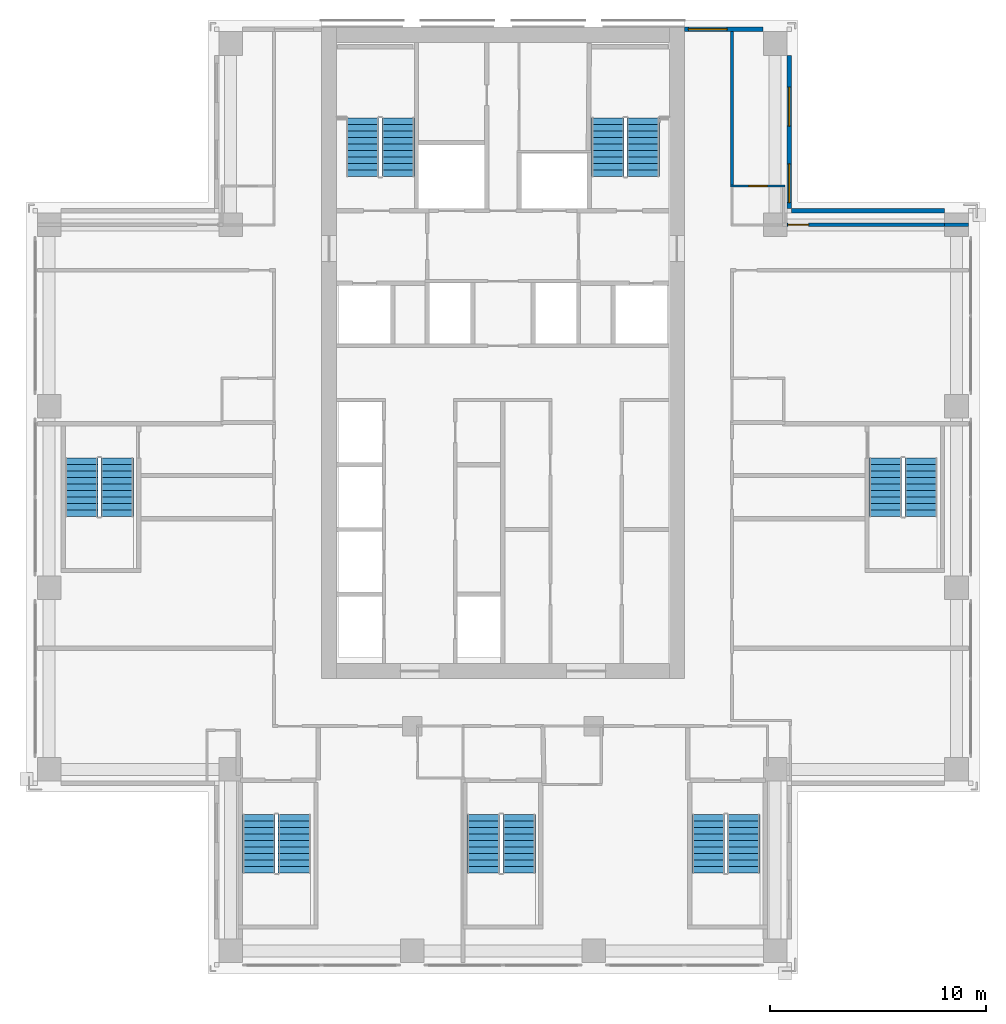
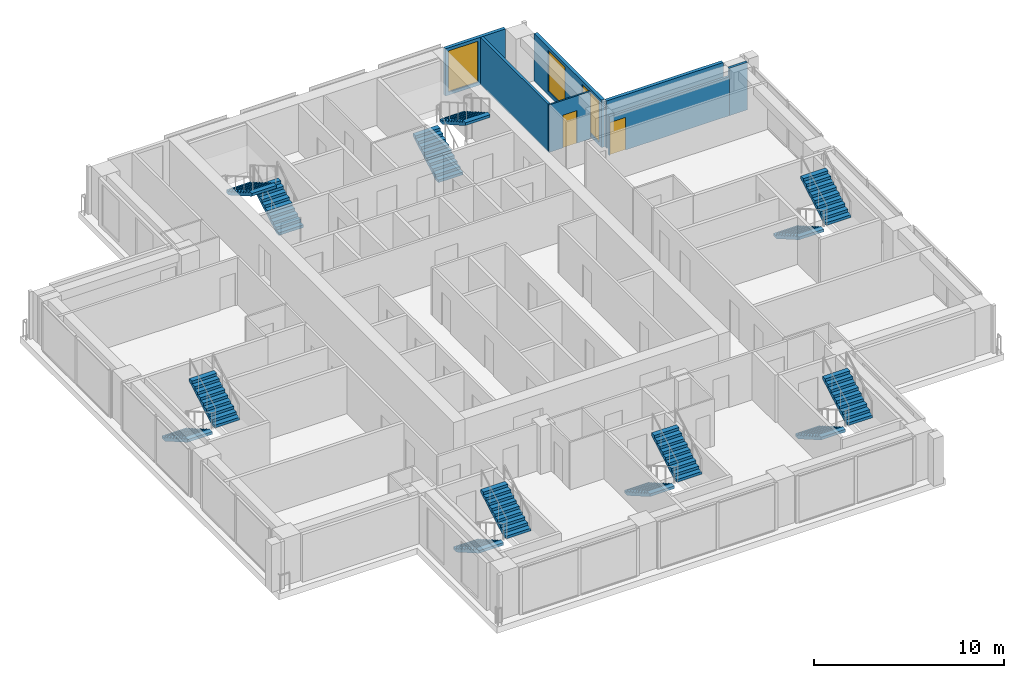
# One storey, part 13 of 16: 14 stair flights, 7 walls, 3 windows, 2 doors, 5 openings, 7 elements without a shape of their own.
"""IFC4 building model written with IfcOpenShell, lengths in metres."""

from ifc_helpers import new_model, si_unit, direction, frame, frame_2d, origin, place, context, subcontext, project, spatial, polyline, rectangle, outline, extrude, material, layer, layer_set, type_object, element, fill, aggregate, save


model = new_model("IFC4")

# Units and contexts
model_context = context("Model", 3, precision=1e-05, world=origin(), true_north=direction((0.0, 1.0)))
body_context = subcontext(model_context, "Body", "Model", "MODEL_VIEW")
ifc_project = project(units=[si_unit("LENGTHUNIT", "METRE"), si_unit("AREAUNIT", "SQUARE_METRE"), si_unit("VOLUMEUNIT", "CUBIC_METRE"), si_unit("PLANEANGLEUNIT", "RADIAN"), si_unit("MASSUNIT", "GRAM", prefix="KILO")], contexts=[model_context])

# Site, building, storey
site_placement = place(None, origin())
site = spatial("IfcSite", under=ifc_project, at=site_placement, CompositionType="ELEMENT")
building_placement = place(site_placement, origin())
building = spatial("IfcBuilding", under=site, at=building_placement, Name="Vermilion Ogive Tower", CompositionType="ELEMENT")
storey_placement = place(building_placement, frame((0.0, 0.0, 140.0)))
storey = spatial("IfcBuildingStorey", under=building, at=storey_placement, Name="L35", CompositionType="ELEMENT", Elevation=140.0)

# Wall, opening, door
ifc_material_1 = material(Name="Gypsum board partition on steel studs", Category="steel")
ifc_layer_1 = layer(ifc_material_1, 0.10009765625)
ifc_layer_set_1 = layer_set([ifc_layer_1], Name="Partition 100 bath")
wall_type_1 = type_object("IfcWallType", Name="Partition 100 bath", PredefinedType="PARTITIONING", material=ifc_layer_set_1)
wall_1_placement = place(storey_placement, frame((10.52490234375, 14.39990234375, 0.0), z_axis=(0.0, 0.0, 1.0), x_axis=(1.0, 0.0, 0.0)))
wall_1 = element("IfcWall", 1, at=wall_1_placement, inside=storey, type_object=wall_type_1, Name="L35-W-W036", PredefinedType="PARTITIONING", context=body_context, shape_type="SweptSolid", body=[
    extrude(rectangle(XDim=2.525146484375, YDim=0.10009765625, at=frame_2d((1.2626953125, 0.0))), origin(), (0.0, 0.0, 1.0), 3.050048828125),
])
opening_1_placement = place(wall_1_placement, frame((0.85009765625, 0.0, 0.0)))
opening_1 = element("IfcOpeningElement", 2, at=opening_1_placement, cuts=wall_1, Name="Opening D3G1016", PredefinedType="OPENING", context=body_context, shape_type="SweptSolid", body=[
    extrude(rectangle(XDim=0.85009765625, YDim=2.10009765625, at=frame_2d((0.425048828125, 1.050048828125))), frame((0.0, 0.06005859375, 0.0), z_axis=(0.0, -1.0, 0.0), x_axis=(1.0, 0.0, 0.0)), (0.0, 0.0, 1.0), 0.1201171875),
])
ifc_material_2 = material(Name="Timber door leaf", Category="wood")
door_type_1 = type_object("IfcDoorType", Name="Bath door 850 x 2100 FD30", OperationType="SINGLE_SWING_LEFT", PredefinedType="DOOR", material=ifc_material_2)
door_1_placement = place(opening_1_placement, origin())
door_1 = element("IfcDoor", 3, at=door_1_placement, inside=storey, type_object=door_type_1, Name="L35-D-D016", OperationType="SINGLE_SWING_RIGHT", OverallHeight=2.10009765625, OverallWidth=0.85009765625, PredefinedType="DOOR", context=body_context, shape_type="SweptSolid", body=[
    extrude(rectangle(XDim=0.85009765625, YDim=2.10009765625, at=frame_2d((0.425048828125, 1.050048828125))), frame((0.0, 0.02490234375, 0.0), z_axis=(0.0, -1.0, 0.0), x_axis=(1.0, 0.0, 0.0)), (0.0, 0.0, 1.0), 0.050048828125),
])
fill(opening_1, door_1)

# Wall
ifc_material_3 = material(Name="Gypsum board partition on steel studs", Category="steel")
ifc_layer_2 = layer(ifc_material_3, 0.14990234375)
ifc_layer_set_2 = layer_set([ifc_layer_2], Name="Partition 150 corridor")
wall_type_2 = type_object("IfcWallType", Name="Partition 150 corridor", PredefinedType="PARTITIONING", material=ifc_layer_set_2)
wall_2_placement = place(storey_placement, frame((10.60009765625, 14.449951171875, 0.0), z_axis=(0.0, 0.0, 1.0), x_axis=(0.0, 1.0, 0.0)))
element("IfcWall", 4, at=wall_2_placement, inside=storey, type_object=wall_type_2, Name="L35-W-W062", PredefinedType="PARTITIONING", context=body_context, shape_type="SweptSolid", body=[
    extrude(rectangle(XDim=7.10009765625, YDim=0.14990234375, at=frame_2d((3.550048828125, 0.0))), origin(), (0.0, 0.0, 1.0), 3.050048828125),
])

# Wall, opening, door
wall_3_placement = place(storey_placement, frame((13.14990234375, 12.60009765625, 0.0), z_axis=(0.0, 0.0, 1.0), x_axis=(1.0, 0.0, 0.0)))
wall_3 = element("IfcWall", 5, at=wall_3_placement, inside=storey, type_object=wall_type_2, Name="L35-W-W034-h1", PredefinedType="PARTITIONING", context=body_context, shape_type="SweptSolid", body=[
    extrude(rectangle(XDim=7.300048828125, YDim=0.14990234375, at=frame_2d((3.64990234375, 0.0))), origin(), (0.0, 0.0, 1.0), 2.5),
])
opening_2_placement = place(wall_3_placement, frame((0.050048828125, 0.0, 0.0)))
opening_2 = element("IfcOpeningElement", 6, at=opening_2_placement, cuts=wall_3, Name="Opening D3G1015", PredefinedType="OPENING", context=body_context, shape_type="SweptSolid", body=[
    extrude(rectangle(XDim=0.949951171875, YDim=2.10009765625, at=frame_2d((0.47509765625, 1.050048828125))), frame((0.0, 0.0849609375, 0.0), z_axis=(0.0, -1.0, 0.0), x_axis=(1.0, 0.0, 0.0)), (0.0, 0.0, 1.0), 0.169921875),
])
ifc_material_4 = material(Name="Timber door leaf", Category="wood")
door_type_2 = type_object("IfcDoorType", Name="Unit door 950 x 2100 FD30S", OperationType="SINGLE_SWING_LEFT", PredefinedType="DOOR", material=ifc_material_4)
door_2_placement = place(opening_2_placement, origin())
door_2 = element("IfcDoor", 7, at=door_2_placement, inside=storey, type_object=door_type_2, Name="L35-D-D015", OperationType="SINGLE_SWING_LEFT", OverallHeight=2.10009765625, OverallWidth=0.949951171875, PredefinedType="DOOR", context=body_context, shape_type="SweptSolid", body=[
    extrude(rectangle(XDim=0.949951171875, YDim=2.10009765625, at=frame_2d((0.47509765625, 1.050048828125))), frame((0.0, 0.02490234375, 0.0), z_axis=(0.0, -1.0, 0.0), x_axis=(1.0, 0.0, 0.0)), (0.0, 0.0, 1.0), 0.050048828125),
])
fill(opening_2, door_2)

# Walls
wall_4_placement = place(storey_placement, frame((20.449951171875, 12.60009765625, 0.0), z_axis=(0.0, 0.0, 1.0), x_axis=(1.0, 0.0, 0.0)))
element("IfcWall", 8, at=wall_4_placement, inside=storey, type_object=wall_type_2, Name="L35-W-W034-h2", PredefinedType="PARTITIONING", context=body_context, shape_type="SweptSolid", body=[
    extrude(rectangle(XDim=1.10009765625, YDim=0.14990234375, at=frame_2d((0.550048828125, 0.0))), origin(), (0.0, 0.0, 1.0), 3.050048828125),
])
ifc_material_5 = material(Name="Aluminium window wall framing", Category="aluminium")
ifc_layer_3 = layer(ifc_material_5, 0.199951171875)
ifc_layer_set_3 = layer_set([ifc_layer_3], Name="Window wall")
wall_type_3 = type_object("IfcWallType", Name="Window wall", PredefinedType="STANDARD", material=ifc_layer_set_3)
wall_5_placement = place(storey_placement, frame((20.449951171875, 13.25, 0.0), z_axis=(0.0, 0.0, 1.0), x_axis=(-1.0, 0.0, 0.0)))
element("IfcWall", 9, at=wall_5_placement, inside=storey, type_object=wall_type_3, Name="Window wall X31", PredefinedType="STANDARD", context=body_context, shape_type="SweptSolid", body=[
    extrude(rectangle(XDim=7.099853515625, YDim=0.199951171875, at=frame_2d((3.5498046875, 0.0))), origin(), (0.0, 0.0, 1.0), 3.050048828125),
])

# Wall, openings, windows
wall_6_placement = place(storey_placement, frame((13.25, 13.35009765625, 0.0), z_axis=(0.0, 0.0, 1.0), x_axis=(0.0, 1.0, 0.0)))
wall_6 = element("IfcWall", 10, at=wall_6_placement, inside=storey, type_object=wall_type_3, Name="Window wall X41", PredefinedType="STANDARD", context=body_context, shape_type="SweptSolid", body=[
    extrude(rectangle(XDim=7.099853515625, YDim=0.199951171875, at=frame_2d((3.5498046875, 0.0))), origin(), (0.0, 0.0, 1.0), 3.050048828125),
])
opening_3_placement = place(wall_6_placement, frame((0.27490234375, 0.0, 0.199951171875)))
opening_3 = element("IfcOpeningElement", 11, at=opening_3_placement, cuts=wall_6, Name="Opening W1-X403", PredefinedType="OPENING", context=body_context, shape_type="SweptSolid", body=[
    extrude(rectangle(XDim=1.800048828125, YDim=2.64990234375, at=frame_2d((0.89990234375, 1.324951171875))), frame((0.0, 0.10986328125, 0.0), z_axis=(0.0, -1.0, 0.0), x_axis=(1.0, 0.0, 0.0)), (0.0, 0.0, 1.0), 0.219970703125),
])
opening_4_placement = place(wall_6_placement, frame((3.824951171875, 0.0, 0.199951171875)))
opening_4 = element("IfcOpeningElement", 12, at=opening_4_placement, cuts=wall_6, Name="Opening W1-X404", PredefinedType="OPENING", context=body_context, shape_type="SweptSolid", body=[
    extrude(rectangle(XDim=1.800048828125, YDim=2.64990234375, at=frame_2d((0.89990234375, 1.324951171875))), frame((0.0, 0.10986328125, 0.0), z_axis=(0.0, -1.0, 0.0), x_axis=(1.0, 0.0, 0.0)), (0.0, 0.0, 1.0), 0.219970703125),
])
ifc_material_6 = material(Name="Aluminium framed double glazing", Category="aluminium")
window_type = type_object("IfcWindowType", Name="Guest window W1", PartitioningType="SINGLE_PANEL", PredefinedType="WINDOW", material=ifc_material_6)
window_1_placement = place(opening_3_placement, origin())
window_1 = element("IfcWindow", 13, at=window_1_placement, inside=storey, type_object=window_type, Name="Window X403", OverallHeight=2.64990234375, OverallWidth=1.800048828125, PartitioningType="SINGLE_PANEL", PredefinedType="WINDOW", context=body_context, shape_type="SweptSolid", body=[
    extrude(rectangle(XDim=1.800048828125, YDim=2.64990234375, at=frame_2d((0.89990234375, 1.324951171875))), frame((0.0, 0.030029296875, 0.0), z_axis=(0.0, -1.0, 0.0), x_axis=(1.0, 0.0, 0.0)), (0.0, 0.0, 1.0), 0.06005859375),
])
fill(opening_3, window_1)
window_2_placement = place(opening_4_placement, origin())
window_2 = element("IfcWindow", 14, at=window_2_placement, inside=storey, type_object=window_type, Name="Window X404", OverallHeight=2.64990234375, OverallWidth=1.800048828125, PartitioningType="SINGLE_PANEL", PredefinedType="WINDOW", context=body_context, shape_type="SweptSolid", body=[
    extrude(rectangle(XDim=1.800048828125, YDim=2.64990234375, at=frame_2d((0.89990234375, 1.324951171875))), frame((0.0, 0.030029296875, 0.0), z_axis=(0.0, -1.0, 0.0), x_axis=(1.0, 0.0, 0.0)), (0.0, 0.0, 1.0), 0.06005859375),
])
fill(opening_4, window_2)

# Wall, opening, window
wall_7_placement = place(storey_placement, frame((12.050048828125, 21.64990234375, 0.0), z_axis=(0.0, 0.0, 1.0), x_axis=(-1.0, 0.0, 0.0)))
wall_7 = element("IfcWall", 15, at=wall_7_placement, inside=storey, type_object=wall_type_3, Name="Window wall N11", PredefinedType="STANDARD", context=body_context, shape_type="SweptSolid", body=[
    extrude(rectangle(XDim=3.650146484375, YDim=0.199951171875, at=frame_2d((1.8251953125, 0.0))), origin(), (0.0, 0.0, 1.0), 3.050048828125),
])
opening_5_placement = place(wall_7_placement, frame((1.669921875, 0.0, 0.199951171875)))
opening_5 = element("IfcOpeningElement", 16, at=opening_5_placement, cuts=wall_7, Name="Opening W1-N102", PredefinedType="OPENING", context=body_context, shape_type="SweptSolid", body=[
    extrude(rectangle(XDim=1.800048828125, YDim=2.64990234375, at=frame_2d((0.89990234375, 1.324951171875))), frame((0.0, 0.10986328125, 0.0), z_axis=(0.0, -1.0, 0.0), x_axis=(1.0, 0.0, 0.0)), (0.0, 0.0, 1.0), 0.219970703125),
])
window_3_placement = place(opening_5_placement, origin())
window_3 = element("IfcWindow", 17, at=window_3_placement, inside=storey, type_object=window_type, Name="Window N102", OverallHeight=2.64990234375, OverallWidth=1.800048828125, PartitioningType="SINGLE_PANEL", PredefinedType="WINDOW", context=body_context, shape_type="SweptSolid", body=[
    extrude(rectangle(XDim=1.800048828125, YDim=2.64990234375, at=frame_2d((0.89990234375, 1.324951171875))), frame((0.0, 0.030029296875, 0.0), z_axis=(0.0, -1.0, 0.0), x_axis=(1.0, 0.0, 0.0)), (0.0, 0.0, 1.0), 0.06005859375),
])
fill(opening_5, window_3)

# Stair, stair flights
ifc_material_7 = material(Name="Concrete B40", Category="concrete")
stair_type = type_object("IfcStairType", Name="Exit stair 1500", PredefinedType="HALF_TURN_STAIR", material=ifc_material_7)
stair_1_placement = place(storey_placement, origin())
stair_1 = element("IfcStair", 18, at=stair_1_placement, inside=storey, type_object=stair_type, Name="L35 Exit Stair ST1", PredefinedType="HALF_TURN_STAIR")
ifc_material_8 = material(Name="Concrete B40", Category="concrete")
stair_flight_type = type_object("IfcStairFlightType", Name="Stair flight 1500", PredefinedType="STRAIGHT", material=ifc_material_8)
stair_flight_1_placement = place(storey_placement, frame((-4.85009765625, 14.85009765625, 0.0), z_axis=(0.0, 0.0, 1.0), x_axis=(0.0, 1.0, 0.0)))
stair_flight_1 = element("IfcStairFlight", 19, at=stair_flight_1_placement, type_object=stair_flight_type, Name="ST1 flight 1", NumberOfRisers=10, NumberOfTreads=9, PredefinedType="STRAIGHT", RiserHeight=0.1725, TreadLength=0.3, context=body_context, shape_type="SweptSolid", body=[
    extrude(outline(polyline([(0.0, 0.0), (0.0, 0.172607421875), (0.300048828125, 0.172607421875), (0.300048828125, 0.344970703125), (0.60009765625, 0.344970703125), (0.60009765625, 0.517578125), (0.89990234375, 0.517578125), (0.89990234375, 0.68994140625), (1.199951171875, 0.68994140625), (1.199951171875, 0.862548828125), (1.5, 0.862548828125), (1.5, 1.034912109375), (1.800048828125, 1.034912109375), (1.800048828125, 1.20751953125), (2.10009765625, 1.20751953125), (2.10009765625, 1.3798828125), (2.39990234375, 1.3798828125), (2.39990234375, 1.552490234375), (2.699951171875, 1.552490234375), (2.699951171875, 1.72509765625), (2.699951171875, 1.379638671875), (0.30078125, 0.0), (0.0, 0.0)])), frame((0.0, 0.75, 0.0), z_axis=(0.0, -1.0, 0.0), x_axis=(1.0, 0.0, 0.0)), (0.0, 0.0, 1.0), 1.5),
])
stair_flight_2_placement = place(storey_placement, frame((-6.5, 17.550048828125, 1.72509765625), z_axis=(0.0, 0.0, 1.0), x_axis=(0.0, -1.0, 0.0)))
stair_flight_2 = element("IfcStairFlight", 20, at=stair_flight_2_placement, type_object=stair_flight_type, Name="ST1 flight 2", NumberOfRisers=10, NumberOfTreads=9, PredefinedType="STRAIGHT", RiserHeight=0.1725, TreadLength=0.3, context=body_context, shape_type="SweptSolid", body=[
    extrude(outline(polyline([(0.0, 0.0), (0.0, 0.172607421875), (0.300048828125, 0.172607421875), (0.300048828125, 0.344970703125), (0.60009765625, 0.344970703125), (0.60009765625, 0.517578125), (0.89990234375, 0.517578125), (0.89990234375, 0.68994140625), (1.199951171875, 0.68994140625), (1.199951171875, 0.862548828125), (1.5, 0.862548828125), (1.5, 1.034912109375), (1.800048828125, 1.034912109375), (1.800048828125, 1.20751953125), (2.10009765625, 1.20751953125), (2.10009765625, 1.3798828125), (2.39990234375, 1.3798828125), (2.39990234375, 1.552490234375), (2.699951171875, 1.552490234375), (2.699951171875, 1.72509765625), (2.699951171875, 1.379638671875), (0.30078125, 0.0), (0.0, 0.0)])), frame((0.0, 0.75, 0.0), z_axis=(0.0, -1.0, 0.0), x_axis=(1.0, 0.0, 0.0)), (0.0, 0.0, 1.0), 1.5),
])
aggregate(stair_1, [stair_flight_1, stair_flight_2])

stair_2_placement = place(storey_placement, origin())
stair_2 = element("IfcStair", 21, at=stair_2_placement, inside=storey, type_object=stair_type, Name="L35 Exit Stair ST2", PredefinedType="HALF_TURN_STAIR")
stair_flight_3_placement = place(storey_placement, frame((4.85009765625, 14.85009765625, 0.0), z_axis=(0.0, 0.0, 1.0), x_axis=(0.0, 1.0, 0.0)))
stair_flight_3 = element("IfcStairFlight", 22, at=stair_flight_3_placement, type_object=stair_flight_type, Name="ST2 flight 1", NumberOfRisers=10, NumberOfTreads=9, PredefinedType="STRAIGHT", RiserHeight=0.1725, TreadLength=0.3, context=body_context, shape_type="SweptSolid", body=[
    extrude(outline(polyline([(0.0, 0.0), (0.0, 0.172607421875), (0.300048828125, 0.172607421875), (0.300048828125, 0.344970703125), (0.60009765625, 0.344970703125), (0.60009765625, 0.517578125), (0.89990234375, 0.517578125), (0.89990234375, 0.68994140625), (1.199951171875, 0.68994140625), (1.199951171875, 0.862548828125), (1.5, 0.862548828125), (1.5, 1.034912109375), (1.800048828125, 1.034912109375), (1.800048828125, 1.20751953125), (2.10009765625, 1.20751953125), (2.10009765625, 1.3798828125), (2.39990234375, 1.3798828125), (2.39990234375, 1.552490234375), (2.699951171875, 1.552490234375), (2.699951171875, 1.72509765625), (2.699951171875, 1.379638671875), (0.30078125, 0.0), (0.0, 0.0)])), frame((0.0, 0.75, 0.0), z_axis=(0.0, -1.0, 0.0), x_axis=(1.0, 0.0, 0.0)), (0.0, 0.0, 1.0), 1.5),
])
stair_flight_4_placement = place(storey_placement, frame((6.5, 17.550048828125, 1.72509765625), z_axis=(0.0, 0.0, 1.0), x_axis=(0.0, -1.0, 0.0)))
stair_flight_4 = element("IfcStairFlight", 23, at=stair_flight_4_placement, type_object=stair_flight_type, Name="ST2 flight 2", NumberOfRisers=10, NumberOfTreads=9, PredefinedType="STRAIGHT", RiserHeight=0.1725, TreadLength=0.3, context=body_context, shape_type="SweptSolid", body=[
    extrude(outline(polyline([(0.0, 0.0), (0.0, 0.172607421875), (0.300048828125, 0.172607421875), (0.300048828125, 0.344970703125), (0.60009765625, 0.344970703125), (0.60009765625, 0.517578125), (0.89990234375, 0.517578125), (0.89990234375, 0.68994140625), (1.199951171875, 0.68994140625), (1.199951171875, 0.862548828125), (1.5, 0.862548828125), (1.5, 1.034912109375), (1.800048828125, 1.034912109375), (1.800048828125, 1.20751953125), (2.10009765625, 1.20751953125), (2.10009765625, 1.3798828125), (2.39990234375, 1.3798828125), (2.39990234375, 1.552490234375), (2.699951171875, 1.552490234375), (2.699951171875, 1.72509765625), (2.699951171875, 1.379638671875), (0.30078125, 0.0), (0.0, 0.0)])), frame((0.0, 0.75, 0.0), z_axis=(0.0, -1.0, 0.0), x_axis=(1.0, 0.0, 0.0)), (0.0, 0.0, 1.0), 1.5),
])
aggregate(stair_2, [stair_flight_3, stair_flight_4])

stair_3_placement = place(storey_placement, origin())
stair_3 = element("IfcStair", 24, at=stair_3_placement, inside=storey, type_object=stair_type, Name="L35 Exit Stair ST3", PredefinedType="HALF_TURN_STAIR")
stair_flight_5_placement = place(storey_placement, frame((-11.300048828125, -14.699951171875, 0.0), z_axis=(0.0, 0.0, 1.0), x_axis=(0.0, -1.0, 0.0)))
stair_flight_5 = element("IfcStairFlight", 25, at=stair_flight_5_placement, type_object=stair_flight_type, Name="ST3 flight 1", NumberOfRisers=10, NumberOfTreads=9, PredefinedType="STRAIGHT", RiserHeight=0.1725, TreadLength=0.3, context=body_context, shape_type="SweptSolid", body=[
    extrude(outline(polyline([(0.0, 0.0), (0.0, 0.172607421875), (0.300048828125, 0.172607421875), (0.300048828125, 0.344970703125), (0.60009765625, 0.344970703125), (0.60009765625, 0.517578125), (0.89990234375, 0.517578125), (0.89990234375, 0.68994140625), (1.199951171875, 0.68994140625), (1.199951171875, 0.862548828125), (1.5, 0.862548828125), (1.5, 1.034912109375), (1.800048828125, 1.034912109375), (1.800048828125, 1.20751953125), (2.10009765625, 1.20751953125), (2.10009765625, 1.3798828125), (2.39990234375, 1.3798828125), (2.39990234375, 1.552490234375), (2.699951171875, 1.552490234375), (2.699951171875, 1.72509765625), (2.699951171875, 1.379638671875), (0.30078125, 0.0), (0.0, 0.0)])), frame((0.0, 0.75, 0.0), z_axis=(0.0, -1.0, 0.0), x_axis=(1.0, 0.0, 0.0)), (0.0, 0.0, 1.0), 1.5),
])
stair_flight_6_placement = place(storey_placement, frame((-9.64990234375, -17.39990234375, 1.72509765625), z_axis=(0.0, 0.0, 1.0), x_axis=(0.0, 1.0, 0.0)))
stair_flight_6 = element("IfcStairFlight", 26, at=stair_flight_6_placement, type_object=stair_flight_type, Name="ST3 flight 2", NumberOfRisers=10, NumberOfTreads=9, PredefinedType="STRAIGHT", RiserHeight=0.1725, TreadLength=0.3, context=body_context, shape_type="SweptSolid", body=[
    extrude(outline(polyline([(0.0, 0.0), (0.0, 0.172607421875), (0.300048828125, 0.172607421875), (0.300048828125, 0.344970703125), (0.60009765625, 0.344970703125), (0.60009765625, 0.517578125), (0.89990234375, 0.517578125), (0.89990234375, 0.68994140625), (1.199951171875, 0.68994140625), (1.199951171875, 0.862548828125), (1.5, 0.862548828125), (1.5, 1.034912109375), (1.800048828125, 1.034912109375), (1.800048828125, 1.20751953125), (2.10009765625, 1.20751953125), (2.10009765625, 1.3798828125), (2.39990234375, 1.3798828125), (2.39990234375, 1.552490234375), (2.699951171875, 1.552490234375), (2.699951171875, 1.72509765625), (2.699951171875, 1.379638671875), (0.30078125, 0.0), (0.0, 0.0)])), frame((0.0, 0.75, 0.0), z_axis=(0.0, -1.0, 0.0), x_axis=(1.0, 0.0, 0.0)), (0.0, 0.0, 1.0), 1.5),
])
aggregate(stair_3, [stair_flight_5, stair_flight_6])

stair_4_placement = place(storey_placement, origin())
stair_4 = element("IfcStair", 27, at=stair_4_placement, inside=storey, type_object=stair_type, Name="L35 Exit Stair ST4", PredefinedType="HALF_TURN_STAIR")
stair_flight_7_placement = place(storey_placement, frame((-0.89990234375, -14.699951171875, 0.0), z_axis=(0.0, 0.0, 1.0), x_axis=(0.0, -1.0, 0.0)))
stair_flight_7 = element("IfcStairFlight", 28, at=stair_flight_7_placement, type_object=stair_flight_type, Name="ST4 flight 1", NumberOfRisers=10, NumberOfTreads=9, PredefinedType="STRAIGHT", RiserHeight=0.1725, TreadLength=0.3, context=body_context, shape_type="SweptSolid", body=[
    extrude(outline(polyline([(0.0, 0.0), (0.0, 0.172607421875), (0.300048828125, 0.172607421875), (0.300048828125, 0.344970703125), (0.60009765625, 0.344970703125), (0.60009765625, 0.517578125), (0.89990234375, 0.517578125), (0.89990234375, 0.68994140625), (1.199951171875, 0.68994140625), (1.199951171875, 0.862548828125), (1.5, 0.862548828125), (1.5, 1.034912109375), (1.800048828125, 1.034912109375), (1.800048828125, 1.20751953125), (2.10009765625, 1.20751953125), (2.10009765625, 1.3798828125), (2.39990234375, 1.3798828125), (2.39990234375, 1.552490234375), (2.699951171875, 1.552490234375), (2.699951171875, 1.72509765625), (2.699951171875, 1.379638671875), (0.30078125, 0.0), (0.0, 0.0)])), frame((0.0, 0.75, 0.0), z_axis=(0.0, -1.0, 0.0), x_axis=(1.0, 0.0, 0.0)), (0.0, 0.0, 1.0), 1.5),
])
stair_flight_8_placement = place(storey_placement, frame((0.75, -17.39990234375, 1.72509765625), z_axis=(0.0, 0.0, 1.0), x_axis=(0.0, 1.0, 0.0)))
stair_flight_8 = element("IfcStairFlight", 29, at=stair_flight_8_placement, type_object=stair_flight_type, Name="ST4 flight 2", NumberOfRisers=10, NumberOfTreads=9, PredefinedType="STRAIGHT", RiserHeight=0.1725, TreadLength=0.3, context=body_context, shape_type="SweptSolid", body=[
    extrude(outline(polyline([(0.0, 0.0), (0.0, 0.172607421875), (0.300048828125, 0.172607421875), (0.300048828125, 0.344970703125), (0.60009765625, 0.344970703125), (0.60009765625, 0.517578125), (0.89990234375, 0.517578125), (0.89990234375, 0.68994140625), (1.199951171875, 0.68994140625), (1.199951171875, 0.862548828125), (1.5, 0.862548828125), (1.5, 1.034912109375), (1.800048828125, 1.034912109375), (1.800048828125, 1.20751953125), (2.10009765625, 1.20751953125), (2.10009765625, 1.3798828125), (2.39990234375, 1.3798828125), (2.39990234375, 1.552490234375), (2.699951171875, 1.552490234375), (2.699951171875, 1.72509765625), (2.699951171875, 1.379638671875), (0.30078125, 0.0), (0.0, 0.0)])), frame((0.0, 0.75, 0.0), z_axis=(0.0, -1.0, 0.0), x_axis=(1.0, 0.0, 0.0)), (0.0, 0.0, 1.0), 1.5),
])
aggregate(stair_4, [stair_flight_7, stair_flight_8])

stair_5_placement = place(storey_placement, origin())
stair_5 = element("IfcStair", 30, at=stair_5_placement, inside=storey, type_object=stair_type, Name="L35 Exit Stair ST5", PredefinedType="HALF_TURN_STAIR")
stair_flight_9_placement = place(storey_placement, frame((9.5, -14.699951171875, 0.0), z_axis=(0.0, 0.0, 1.0), x_axis=(0.0, -1.0, 0.0)))
stair_flight_9 = element("IfcStairFlight", 31, at=stair_flight_9_placement, type_object=stair_flight_type, Name="ST5 flight 1", NumberOfRisers=10, NumberOfTreads=9, PredefinedType="STRAIGHT", RiserHeight=0.1725, TreadLength=0.3, context=body_context, shape_type="SweptSolid", body=[
    extrude(outline(polyline([(0.0, 0.0), (0.0, 0.172607421875), (0.300048828125, 0.172607421875), (0.300048828125, 0.344970703125), (0.60009765625, 0.344970703125), (0.60009765625, 0.517578125), (0.89990234375, 0.517578125), (0.89990234375, 0.68994140625), (1.199951171875, 0.68994140625), (1.199951171875, 0.862548828125), (1.5, 0.862548828125), (1.5, 1.034912109375), (1.800048828125, 1.034912109375), (1.800048828125, 1.20751953125), (2.10009765625, 1.20751953125), (2.10009765625, 1.3798828125), (2.39990234375, 1.3798828125), (2.39990234375, 1.552490234375), (2.699951171875, 1.552490234375), (2.699951171875, 1.72509765625), (2.699951171875, 1.379638671875), (0.30078125, 0.0), (0.0, 0.0)])), frame((0.0, 0.75, 0.0), z_axis=(0.0, -1.0, 0.0), x_axis=(1.0, 0.0, 0.0)), (0.0, 0.0, 1.0), 1.5),
])
stair_flight_10_placement = place(storey_placement, frame((11.14990234375, -17.39990234375, 1.72509765625), z_axis=(0.0, 0.0, 1.0), x_axis=(0.0, 1.0, 0.0)))
stair_flight_10 = element("IfcStairFlight", 32, at=stair_flight_10_placement, type_object=stair_flight_type, Name="ST5 flight 2", NumberOfRisers=10, NumberOfTreads=9, PredefinedType="STRAIGHT", RiserHeight=0.1725, TreadLength=0.3, context=body_context, shape_type="SweptSolid", body=[
    extrude(outline(polyline([(0.0, 0.0), (0.0, 0.172607421875), (0.300048828125, 0.172607421875), (0.300048828125, 0.344970703125), (0.60009765625, 0.344970703125), (0.60009765625, 0.517578125), (0.89990234375, 0.517578125), (0.89990234375, 0.68994140625), (1.199951171875, 0.68994140625), (1.199951171875, 0.862548828125), (1.5, 0.862548828125), (1.5, 1.034912109375), (1.800048828125, 1.034912109375), (1.800048828125, 1.20751953125), (2.10009765625, 1.20751953125), (2.10009765625, 1.3798828125), (2.39990234375, 1.3798828125), (2.39990234375, 1.552490234375), (2.699951171875, 1.552490234375), (2.699951171875, 1.72509765625), (2.699951171875, 1.379638671875), (0.30078125, 0.0), (0.0, 0.0)])), frame((0.0, 0.75, 0.0), z_axis=(0.0, -1.0, 0.0), x_axis=(1.0, 0.0, 0.0)), (0.0, 0.0, 1.0), 1.5),
])
aggregate(stair_5, [stair_flight_9, stair_flight_10])

stair_6_placement = place(storey_placement, origin())
stair_6 = element("IfcStair", 33, at=stair_6_placement, inside=storey, type_object=stair_type, Name="L35 Exit Stair ST8", PredefinedType="HALF_TURN_STAIR")
stair_flight_11_placement = place(storey_placement, frame((17.699951171875, 1.800048828125, 0.0), z_axis=(0.0, 0.0, 1.0), x_axis=(0.0, -1.0, 0.0)))
stair_flight_11 = element("IfcStairFlight", 34, at=stair_flight_11_placement, type_object=stair_flight_type, Name="ST8 flight 1", NumberOfRisers=10, NumberOfTreads=9, PredefinedType="STRAIGHT", RiserHeight=0.1725, TreadLength=0.3, context=body_context, shape_type="SweptSolid", body=[
    extrude(outline(polyline([(0.0, 0.0), (0.0, 0.172607421875), (0.300048828125, 0.172607421875), (0.300048828125, 0.344970703125), (0.60009765625, 0.344970703125), (0.60009765625, 0.517578125), (0.89990234375, 0.517578125), (0.89990234375, 0.68994140625), (1.199951171875, 0.68994140625), (1.199951171875, 0.862548828125), (1.5, 0.862548828125), (1.5, 1.034912109375), (1.800048828125, 1.034912109375), (1.800048828125, 1.20751953125), (2.10009765625, 1.20751953125), (2.10009765625, 1.3798828125), (2.39990234375, 1.3798828125), (2.39990234375, 1.552490234375), (2.699951171875, 1.552490234375), (2.699951171875, 1.72509765625), (2.699951171875, 1.379638671875), (0.30078125, 0.0), (0.0, 0.0)])), frame((0.0, 0.75, 0.0), z_axis=(0.0, -1.0, 0.0), x_axis=(1.0, 0.0, 0.0)), (0.0, 0.0, 1.0), 1.5),
])
stair_flight_12_placement = place(storey_placement, frame((19.35009765625, -0.89990234375, 1.72509765625), z_axis=(0.0, 0.0, 1.0), x_axis=(0.0, 1.0, 0.0)))
stair_flight_12 = element("IfcStairFlight", 35, at=stair_flight_12_placement, type_object=stair_flight_type, Name="ST8 flight 2", NumberOfRisers=10, NumberOfTreads=9, PredefinedType="STRAIGHT", RiserHeight=0.1725, TreadLength=0.3, context=body_context, shape_type="SweptSolid", body=[
    extrude(outline(polyline([(0.0, 0.0), (0.0, 0.172607421875), (0.300048828125, 0.172607421875), (0.300048828125, 0.344970703125), (0.60009765625, 0.344970703125), (0.60009765625, 0.517578125), (0.89990234375, 0.517578125), (0.89990234375, 0.68994140625), (1.199951171875, 0.68994140625), (1.199951171875, 0.862548828125), (1.5, 0.862548828125), (1.5, 1.034912109375), (1.800048828125, 1.034912109375), (1.800048828125, 1.20751953125), (2.10009765625, 1.20751953125), (2.10009765625, 1.3798828125), (2.39990234375, 1.3798828125), (2.39990234375, 1.552490234375), (2.699951171875, 1.552490234375), (2.699951171875, 1.72509765625), (2.699951171875, 1.379638671875), (0.30078125, 0.0), (0.0, 0.0)])), frame((0.0, 0.75, 0.0), z_axis=(0.0, -1.0, 0.0), x_axis=(1.0, 0.0, 0.0)), (0.0, 0.0, 1.0), 1.5),
])
aggregate(stair_6, [stair_flight_11, stair_flight_12])

stair_7_placement = place(storey_placement, origin())
stair_7 = element("IfcStair", 36, at=stair_7_placement, inside=storey, type_object=stair_type, Name="L35 Exit Stair ST9", PredefinedType="HALF_TURN_STAIR")
stair_flight_13_placement = place(storey_placement, frame((-19.5, 1.800048828125, 0.0), z_axis=(0.0, 0.0, 1.0), x_axis=(0.0, -1.0, 0.0)))
stair_flight_13 = element("IfcStairFlight", 37, at=stair_flight_13_placement, type_object=stair_flight_type, Name="ST9 flight 1", NumberOfRisers=10, NumberOfTreads=9, PredefinedType="STRAIGHT", RiserHeight=0.1725, TreadLength=0.3, context=body_context, shape_type="SweptSolid", body=[
    extrude(outline(polyline([(0.0, 0.0), (0.0, 0.172607421875), (0.300048828125, 0.172607421875), (0.300048828125, 0.344970703125), (0.60009765625, 0.344970703125), (0.60009765625, 0.517578125), (0.89990234375, 0.517578125), (0.89990234375, 0.68994140625), (1.199951171875, 0.68994140625), (1.199951171875, 0.862548828125), (1.5, 0.862548828125), (1.5, 1.034912109375), (1.800048828125, 1.034912109375), (1.800048828125, 1.20751953125), (2.10009765625, 1.20751953125), (2.10009765625, 1.3798828125), (2.39990234375, 1.3798828125), (2.39990234375, 1.552490234375), (2.699951171875, 1.552490234375), (2.699951171875, 1.72509765625), (2.699951171875, 1.379638671875), (0.30078125, 0.0), (0.0, 0.0)])), frame((0.0, 0.75, 0.0), z_axis=(0.0, -1.0, 0.0), x_axis=(1.0, 0.0, 0.0)), (0.0, 0.0, 1.0), 1.5),
])
stair_flight_14_placement = place(storey_placement, frame((-17.85009765625, -0.89990234375, 1.72509765625), z_axis=(0.0, 0.0, 1.0), x_axis=(0.0, 1.0, 0.0)))
stair_flight_14 = element("IfcStairFlight", 38, at=stair_flight_14_placement, type_object=stair_flight_type, Name="ST9 flight 2", NumberOfRisers=10, NumberOfTreads=9, PredefinedType="STRAIGHT", RiserHeight=0.1725, TreadLength=0.3, context=body_context, shape_type="SweptSolid", body=[
    extrude(outline(polyline([(0.0, 0.0), (0.0, 0.172607421875), (0.300048828125, 0.172607421875), (0.300048828125, 0.344970703125), (0.60009765625, 0.344970703125), (0.60009765625, 0.517578125), (0.89990234375, 0.517578125), (0.89990234375, 0.68994140625), (1.199951171875, 0.68994140625), (1.199951171875, 0.862548828125), (1.5, 0.862548828125), (1.5, 1.034912109375), (1.800048828125, 1.034912109375), (1.800048828125, 1.20751953125), (2.10009765625, 1.20751953125), (2.10009765625, 1.3798828125), (2.39990234375, 1.3798828125), (2.39990234375, 1.552490234375), (2.699951171875, 1.552490234375), (2.699951171875, 1.72509765625), (2.699951171875, 1.379638671875), (0.30078125, 0.0), (0.0, 0.0)])), frame((0.0, 0.75, 0.0), z_axis=(0.0, -1.0, 0.0), x_axis=(1.0, 0.0, 0.0)), (0.0, 0.0, 1.0), 1.5),
])
aggregate(stair_7, [stair_flight_13, stair_flight_14])

save(model, "model.ifc")
